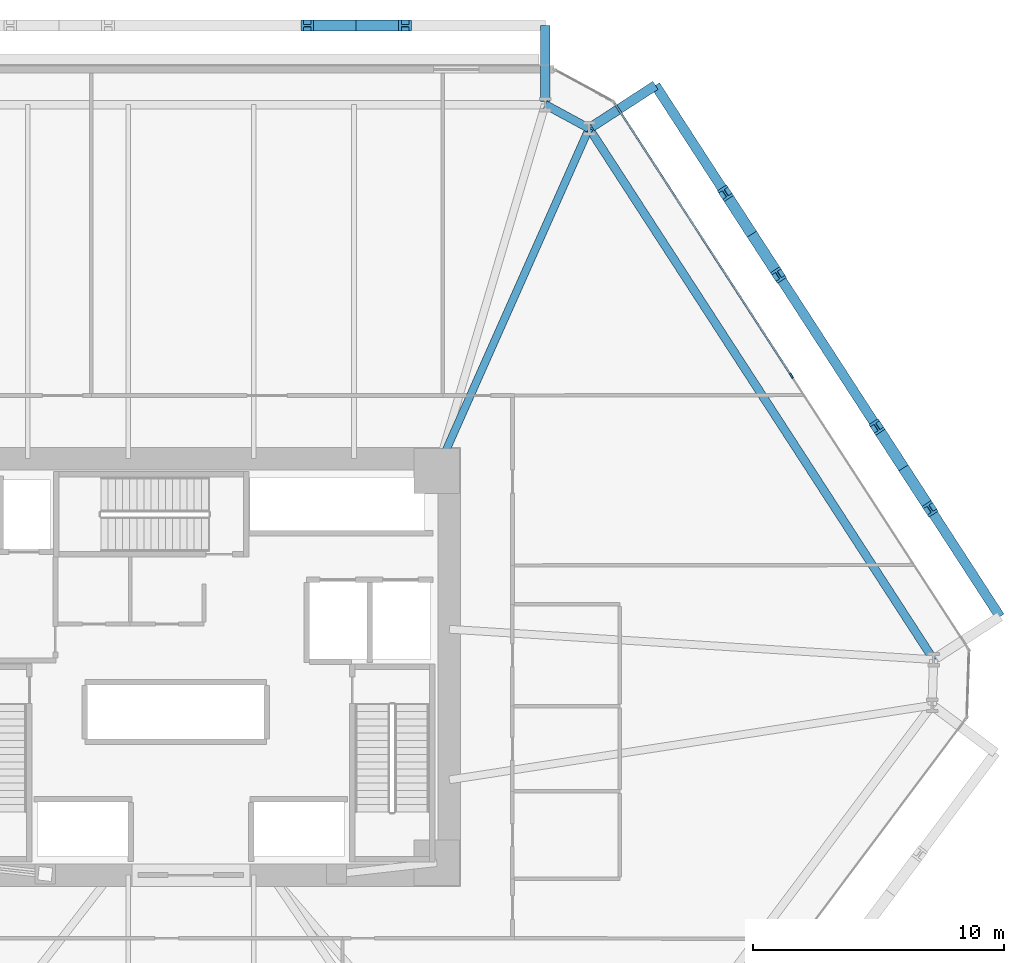
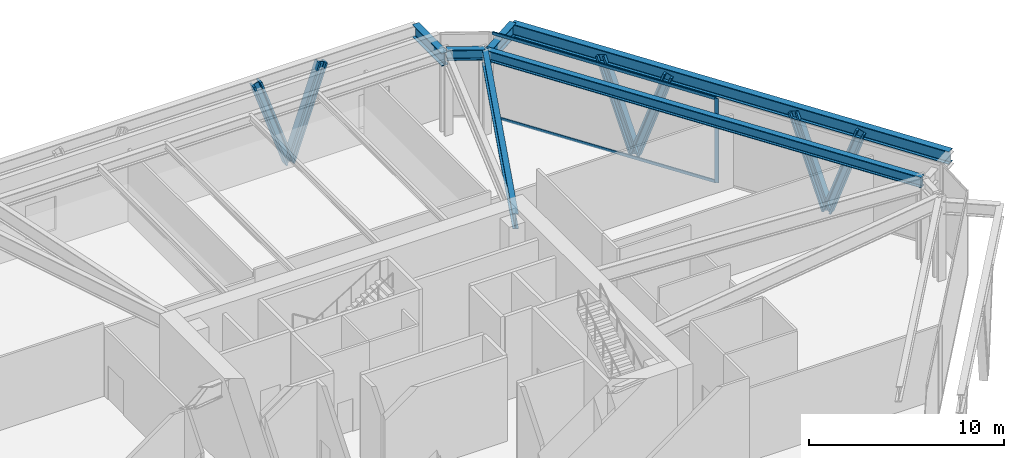
# One storey, part 10 of 19: 9 members, 6 beams, 1 element without a shape of its own.
"""IFC4 building model written with IfcOpenShell, lengths in metres."""

from ifc_helpers import new_model, si_unit, direction, frame, origin, origin_2d, place, context, subcontext, project, spatial, rectangle, i_section, extrude, source, transform, mapped, material, layer, layer_set, material_profile, profile_set, type_object, type_shapes, element, aggregate, save


model = new_model("IFC4")

# Units and contexts
model_context = context("Model", 3, precision=1e-05, world=origin(), true_north=direction((0.0, 1.0)))
body_context = subcontext(model_context, "Body", "Model", "MODEL_VIEW")
ifc_project = project(units=[si_unit("LENGTHUNIT", "METRE"), si_unit("AREAUNIT", "SQUARE_METRE"), si_unit("VOLUMEUNIT", "CUBIC_METRE"), si_unit("PLANEANGLEUNIT", "RADIAN"), si_unit("MASSUNIT", "GRAM", prefix="KILO")], contexts=[model_context])

# Site, building, storey
site_placement = place(None, origin())
site = spatial("IfcSite", under=ifc_project, at=site_placement, CompositionType="ELEMENT")
building_placement = place(site_placement, origin())
building = spatial("IfcBuilding", under=site, at=building_placement, Name="Durnholm Broadcast Tower", CompositionType="ELEMENT")
storey_placement = place(building_placement, frame((0.0, 0.0, 15.60009765625)))
storey = spatial("IfcBuildingStorey", under=building, at=storey_placement, Name="L03", CompositionType="ELEMENT", Elevation=15.60009765625)

# Beams
ifc_material_1 = material(Name="Steel ASTM A992 Grade 50", Category="steel")
ifc_material_profile_1 = material_profile(ifc_material_1, i_section(OverallWidth=0.3330078125, OverallDepth=0.660888671875, WebThickness=0.0244140625, FlangeThickness=0.0439453125, FilletRadius=0.02783203125, at=origin_2d()), Name="W24X229")
ifc_profile_set_1 = profile_set([ifc_material_profile_1], Name="Steel ASTM A992 Grade 50")
beam_type_1 = type_object("IfcBeamType", Name="STL-SP-W24X229", PredefinedType="SPANDREL", material=ifc_profile_set_1)
shared_shape_1 = source(origin(), body_context, "Body", "SweptSolid", [
    extrude(i_section(OverallWidth=0.3330078125, OverallDepth=0.660888671875, WebThickness=0.0244140625, FlangeThickness=0.0439453125, FilletRadius=0.02783203125, at=origin_2d()), origin(), (0.0, 0.0, 1.0), 25.22265625),
])
beam_1_placement = place(storey_placement, frame((15.866455078125, 21.45068359375, 4.934326171875), z_axis=(0.544117081794, -0.839009297505, 0.0), x_axis=(0.839009297505, 0.544117081794, 0.0)))
element("IfcBeam", 1, at=beam_1_placement, inside=storey, type_object=beam_type_1, Name="L03 perimeter spandrel girder 07", PredefinedType="SPANDREL", context=body_context, shape_type="MappedRepresentation", body=[
    mapped(shared_shape_1, transform((0.0, 0.0, 0.0), x_axis=(1.0, 0.0, 0.0), y_axis=(0.0, 1.0, 0.0), z_axis=(0.0, 0.0, 1.0), scale=1.0)),
])
shared_shape_2 = source(origin(), body_context, "Body", "SweptSolid", [
    extrude(i_section(OverallWidth=0.3330078125, OverallDepth=0.660888671875, WebThickness=0.0244140625, FlangeThickness=0.0439453125, FilletRadius=0.02783203125, at=origin_2d()), origin(), (0.0, 0.0, 1.0), 1.98828125),
])
type_shapes(beam_type_1, [shared_shape_1, shared_shape_2])
beam_2_placement = place(storey_placement, frame((14.119384765625, 22.39990234375, 4.934326171875), z_axis=(0.878682739647, -0.477406161508, 0.0), x_axis=(0.477406161508, 0.878682739647, 0.0)))
element("IfcBeam", 2, at=beam_2_placement, inside=storey, type_object=beam_type_1, Name="L03 perimeter spandrel girder 06", PredefinedType="SPANDREL", context=body_context, shape_type="MappedRepresentation", body=[
    mapped(shared_shape_2, transform((0.0, 0.0, 0.0), x_axis=(1.0, 0.0, 0.0), y_axis=(0.0, 1.0, 0.0), z_axis=(0.0, 0.0, 1.0), scale=1.0)),
])
ifc_material_profile_2 = material_profile(ifc_material_1, i_section(OverallWidth=0.385009765625, OverallDepth=0.802978515625, WebThickness=0.023681640625, FlangeThickness=0.0419921875, FilletRadius=0.032958984375, at=origin_2d()), Name="W30X261")
ifc_profile_set_2 = profile_set([ifc_material_profile_2], Name="Steel ASTM A992 Grade 50")
beam_type_2 = type_object("IfcBeamType", Name="BM-EXO-TIE", PredefinedType="USERDEFINED", material=ifc_profile_set_2)
shared_shape_3 = source(origin(), body_context, "Body", "SweptSolid", [
    extrude(i_section(OverallWidth=0.385009765625, OverallDepth=0.802978515625, WebThickness=0.023681640625, FlangeThickness=0.0419921875, FilletRadius=0.032958984375, at=origin_2d()), origin(), (0.0, 0.0, 1.0), 3.024169921875),
])
for number, where, z_axis, x_axis, name in (
    (3, (15.97216796875, 21.519287109375, 4.5283203125), (0.839049936056, 0.544054413459, 0.0), (-0.544054413459, 0.839049936056, 0.0), "L03 exoskeleton stand-off tie bracket F3.2"),
    (4, (14.119384765625, 22.52587890625, 4.5283203125), (0.0, 1.0, 0.0), (-1.0, 0.0, 0.0), "L03 exoskeleton stand-off tie bracket F4.1"),
):
    element("IfcBeam", number, at=place(storey_placement, frame(where, z_axis=z_axis, x_axis=x_axis)), inside=storey, type_object=beam_type_2, Name=name, ObjectType="GIRDER", PredefinedType="USERDEFINED", context=body_context, shape_type="MappedRepresentation", body=[
        mapped(shared_shape_3, transform((0.0, 0.0, 0.0), x_axis=(1.0, 0.0, 0.0), y_axis=(0.0, 1.0, 0.0), z_axis=(0.0, 0.0, 1.0), scale=1.0)),
    ])
shared_shape_4 = source(origin(), body_context, "Body", "SweptSolid", [
    extrude(i_section(OverallWidth=0.385009765625, OverallDepth=0.802978515625, WebThickness=0.023681640625, FlangeThickness=0.0419921875, FilletRadius=0.032958984375, at=origin_2d()), origin(), (0.0, 0.0, 1.0), 25.222412109375),
])
type_shapes(beam_type_2, [shared_shape_3, shared_shape_4])
beam_3_placement = place(storey_placement, frame((32.2333984375, 2.002685546875, 4.5283203125), z_axis=(-0.544114686912, 0.839010850637, 0.0), x_axis=(-0.839010850637, -0.544114686912, 0.0)))
element("IfcBeam", 5, at=beam_3_placement, inside=storey, type_object=beam_type_2, Name="L03 exoskeleton collector spandrel F3", PredefinedType="SPANDREL", context=body_context, shape_type="MappedRepresentation", body=[
    mapped(shared_shape_4, transform((0.0, 0.0, 0.0), x_axis=(1.0, 0.0, 0.0), y_axis=(0.0, 1.0, 0.0), z_axis=(0.0, 0.0, 1.0), scale=1.0)),
])
ifc_material_profile_3 = material_profile(ifc_material_1, i_section(OverallWidth=0.310302734375, OverallDepth=0.950439453125, WebThickness=0.0244140625, FlangeThickness=0.0439453125, FilletRadius=0.0380859375, at=origin_2d()), Name="W36X256")
ifc_profile_set_3 = profile_set([ifc_material_profile_3], Name="Steel ASTM A992 Grade 50")
beam_type_3 = type_object("IfcBeamType", Name="STL-GR-W36X256", PredefinedType="USERDEFINED", material=ifc_profile_set_3)
shared_shape_5 = source(origin(), body_context, "Body", "SweptSolid", [
    extrude(i_section(OverallWidth=0.310302734375, OverallDepth=0.950439453125, WebThickness=0.0244140625, FlangeThickness=0.0439453125, FilletRadius=0.0380859375, at=origin_2d()), origin(), (0.0, 0.0, 1.0), 14.93798828125),
])
type_shapes(beam_type_3, [shared_shape_5])
beam_4_placement = place(storey_placement, frame((9.800048828125, 7.800048828125, 4.78955078125), z_axis=(0.406108137323, 0.913825027453, 0.0), x_axis=(-0.913825027453, 0.406108137323, 0.0)))
element("IfcBeam", 6, at=beam_4_placement, inside=storey, type_object=beam_type_3, Name="L03 radial primary floor girder 07", ObjectType="GIRDER", PredefinedType="USERDEFINED", context=body_context, shape_type="MappedRepresentation", body=[
    mapped(shared_shape_5, transform((0.0, 0.0, 0.0), x_axis=(1.0, 0.0, 0.0), y_axis=(0.0, 1.0, 0.0), z_axis=(0.0, 0.0, 1.0), scale=1.0)),
])

# Members
ifc_material_2 = material(Name="Steel ASTM A913 Grade 65", Category="steel")
ifc_material_profile_4 = material_profile(ifc_material_2, i_section(OverallWidth=0.44189453125, OverallDepth=0.531494140625, WebThickness=0.06591796875, FlangeThickness=0.105712890625, FilletRadius=0.030517578125, at=origin_2d()), Name="W14X605")
ifc_profile_set_4 = profile_set([ifc_material_profile_4], Name="Steel ASTM A913 Grade 65")
member_type_1 = type_object("IfcMemberType", Name="STL-DG-W14X605", PredefinedType="BRACE", material=ifc_profile_set_4)
shared_shape_6 = source(origin(), body_context, "Body", "SweptSolid", [
    extrude(i_section(OverallWidth=0.44189453125, OverallDepth=0.531494140625, WebThickness=0.06591796875, FlangeThickness=0.105712890625, FilletRadius=0.030517578125, at=origin_2d()), origin(), (0.0, 0.0, 1.0), 5.927734375),
])
type_shapes(member_type_1, [shared_shape_6])
for number, where, z_axis, x_axis, name in (
    (7, (28.390625, 7.927978515625, -1.071533203125), (0.17845788453, -0.275203227424, 0.944677705392), (0.839034101522, 0.544078832968, 0.0), "L03 stand-off diagrid brace F3.D1.1"),
    (8, (28.390625, 7.927978515625, -1.071533203125), (-0.178459907135, 0.275165160298, 0.944688412178), (-0.838996925284, -0.544136158847, 0.0), "L03 stand-off diagrid brace F3.D1.2"),
    (9, (22.35205078125, 17.2392578125, -1.071533203125), (0.17845788453, -0.275203227424, 0.944677705392), (0.839034101522, 0.544078832968, 0.0), "L03 stand-off diagrid brace F3.D2.1"),
    (10, (22.35205078125, 17.2392578125, -1.071533203125), (-0.178459907135, 0.275165160298, 0.944688412178), (-0.838996925284, -0.544136158847, 0.0), "L03 stand-off diagrid brace F3.D2.2"),
    (11, (6.58984375, 25.550048828125, -1.071533203125), (0.327966255365, 0.0, 0.944689438568), (0.0, 1.0, 0.0), "L03 stand-off diagrid brace F4.D1.1"),
    (12, (6.58984375, 25.550048828125, -1.071533203125), (-0.328003010817, 0.0, 0.944676677438), (0.0, -1.0, 0.0), "L03 stand-off diagrid brace F4.D1.2"),
):
    element("IfcMember", number, at=place(storey_placement, frame(where, z_axis=z_axis, x_axis=x_axis)), inside=storey, type_object=member_type_1, Name=name, PredefinedType="BRACE", context=body_context, shape_type="MappedRepresentation", body=[
        mapped(shared_shape_6, transform((0.0, 0.0, 0.0), x_axis=(1.0, 0.0, 0.0), y_axis=(0.0, 1.0, 0.0), z_axis=(0.0, 0.0, 1.0), scale=1.0)),
    ])

# Curtain wall, members
ifc_material_3 = material(Name="Aluminium and Solar Control IGU", Category="aluminium")
ifc_layer = layer(ifc_material_3, 0.219970703125)
ifc_layer_set = layer_set([ifc_layer], Name="Aluminium and Solar Control IGU")
curtain_wall_type = type_object("IfcCurtainWallType", Name="CW-SYS-2", PredefinedType="NOTDEFINED", material=ifc_layer_set)
curtain_wall_placement = place(storey_placement, origin())
curtain_wall = element("IfcCurtainWall", 13, at=curtain_wall_placement, inside=storey, type_object=curtain_wall_type, Name="L03 curtain wall CW-STUDIO CW-L03-F06", PredefinedType="NOTDEFINED")
ifc_material_4 = material(Name="Aluminium 6063-T6", Category="aluminium")
ifc_material_profile_5 = material_profile(ifc_material_4, rectangle(XDim=0.074951171875, YDim=0.219970703125, at=origin_2d()), Name="CWM75X220")
ifc_profile_set_5 = profile_set([ifc_material_profile_5], Name="Aluminium 6063-T6")
member_type_2 = type_object("IfcMemberType", Name="CW-SYS-2-MUL", PredefinedType="MULLION", material=ifc_profile_set_5)
shared_shape_7 = source(origin(), body_context, "Body", "SweptSolid", [
    extrude(rectangle(XDim=0.074951171875, YDim=0.219970703125, at=origin_2d()), origin(), (0.0, 0.0, 1.0), 5.27978515625),
])
type_shapes(member_type_2, [shared_shape_7])
member_1_placement = place(storey_placement, frame((23.926025390625, 11.59619140625, 0.0), z_axis=(0.0, 0.0, 1.0), x_axis=(0.839009373297, 0.544116964926, 0.0)))
member_1 = element("IfcMember", 14, at=member_1_placement, type_object=member_type_2, Name="CW-STUDIO mullion 2", PredefinedType="MULLION", context=body_context, shape_type="MappedRepresentation", body=[
    mapped(shared_shape_7, transform((0.0, 0.0, 0.0), x_axis=(1.0, 0.0, 0.0), y_axis=(0.0, 1.0, 0.0), z_axis=(0.0, 0.0, 1.0), scale=1.0)),
])
ifc_material_profile_6 = material_profile(ifc_material_4, rectangle(XDim=0.074951171875, YDim=0.179931640625, at=origin_2d()), Name="CWT75X180")
ifc_profile_set_6 = profile_set([ifc_material_profile_6], Name="Aluminium 6063-T6")
member_type_3 = type_object("IfcMemberType", Name="CW-SYS-2-TRN", PredefinedType="USERDEFINED", material=ifc_profile_set_6)
shared_shape_8 = source(origin(), body_context, "Body", "SweptSolid", [
    extrude(rectangle(XDim=0.074951171875, YDim=0.179931640625, at=origin_2d()), origin(), (0.0, 0.0, 1.0), 12.896728515625),
])
type_shapes(member_type_3, [shared_shape_8])
member_2_placement = place(storey_placement, frame((16.888427734375, 22.447998046875, 0.037353515625), z_axis=(0.544101072489, -0.839019679695, 0.0), x_axis=(0.839019679695, 0.544101072489, 0.0)))
member_2 = element("IfcMember", 15, at=member_2_placement, type_object=member_type_3, Name="CW-STUDIO transom 1.1", ObjectType="TRANSOM", PredefinedType="USERDEFINED", context=body_context, shape_type="MappedRepresentation", body=[
    mapped(shared_shape_8, transform((0.0, 0.0, 0.0), x_axis=(1.0, 0.0, 0.0), y_axis=(0.0, 1.0, 0.0), z_axis=(0.0, 0.0, 1.0), scale=1.0)),
])
member_3_placement = place(storey_placement, frame((16.888427734375, 22.447998046875, 5.242431640625), z_axis=(0.544101072489, -0.839019679695, 0.0), x_axis=(0.839019679695, 0.544101072489, 0.0)))
member_3 = element("IfcMember", 16, at=member_3_placement, type_object=member_type_3, Name="CW-STUDIO transom 1.2", ObjectType="TRANSOM", PredefinedType="USERDEFINED", context=body_context, shape_type="MappedRepresentation", body=[
    mapped(shared_shape_8, transform((0.0, 0.0, 0.0), x_axis=(1.0, 0.0, 0.0), y_axis=(0.0, 1.0, 0.0), z_axis=(0.0, 0.0, 1.0), scale=1.0)),
])
aggregate(curtain_wall, [member_1, member_2, member_3])

save(model, "model.ifc")
